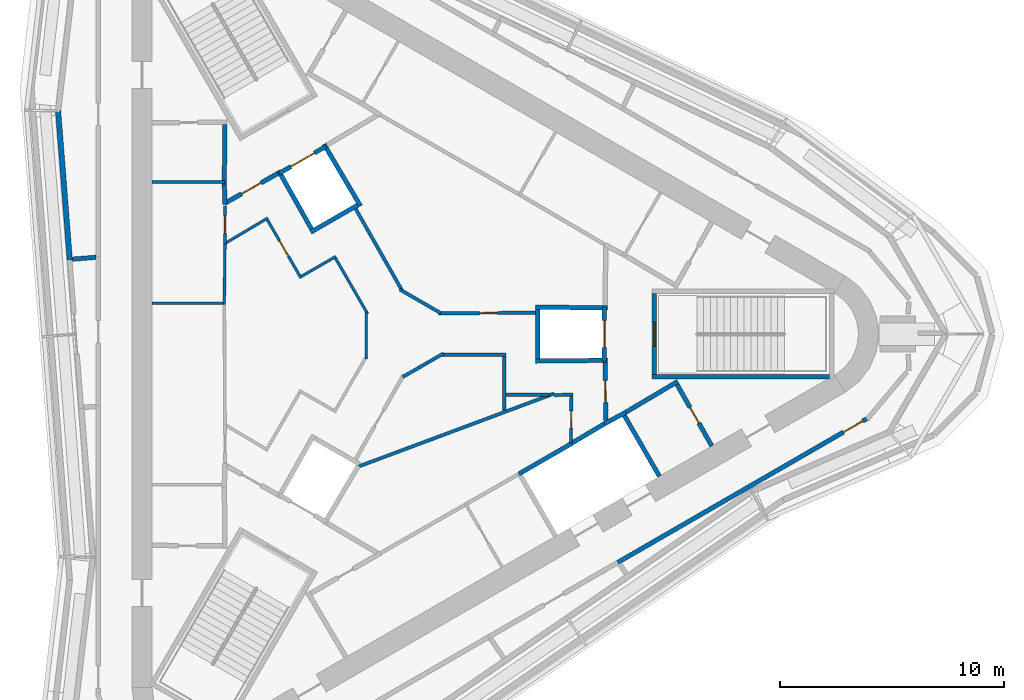
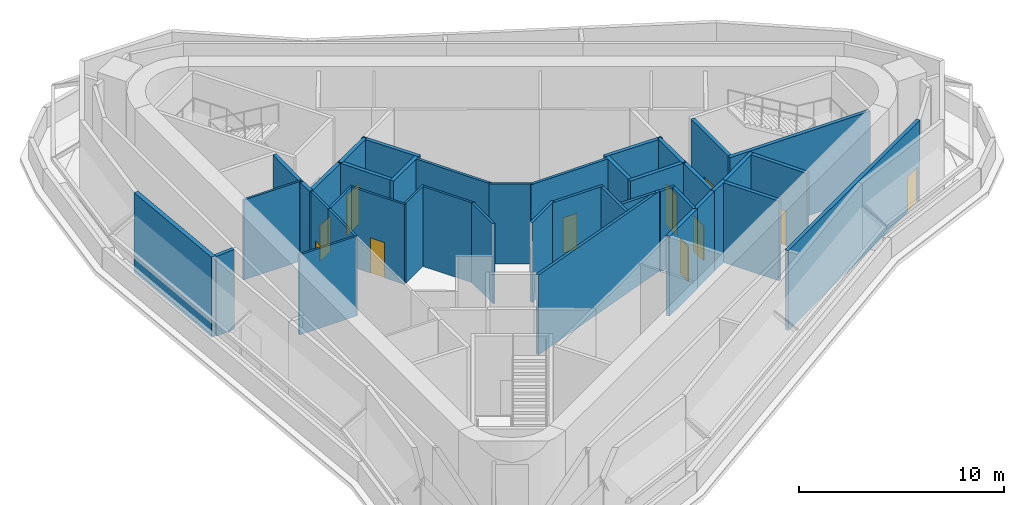
# One storey, part 4 of 7: 42 walls, 11 doors, 11 openings.
"""IFC4 building model written with IfcOpenShell, lengths in metres."""

import ifcopenshell
import ifcopenshell.guid

model = None  # the IFC model being written
_history = None  # IfcOwnerHistory: only IFC2X3 demands one
_inside = {}  # id of a spatial element -> (the spatial element, [elements in it])
_under = {}  # id of a project, library or spatial element -> (it, [spatial elements below it])
_declared = {}  # id of a project -> (the project, [libraries it declares])
_typed = {}  # id of a type object -> (the type object, [elements of that type])
_made_of = {}  # id of a material, layer set ... -> (it, [elements and type objects made of it])


def new_model(schema):
    """Start an empty IFC model of exactly this schema.

    Asked for "IFC4X3", IfcOpenShell would pick the latest addendum, in which some entities
    have other attributes; the version numbers below select the first issue.
    IFC2X3 requires an IfcOwnerHistory on every rooted entity: one is made here for all.
    """
    global model, _history
    if schema == "IFC4X3":
        model = ifcopenshell.file(schema_version=(4, 3, 0, 0))
    else:
        model = ifcopenshell.file(schema=schema)
    _inside.clear()
    _under.clear()
    _declared.clear()
    _typed.clear()
    _made_of.clear()
    _history = None
    if model.schema == "IFC2X3":
        org = make("IfcOrganization", Name="unknown")
        user = make(
            "IfcPersonAndOrganization",
            ThePerson=make("IfcPerson", FamilyName="unknown"),
            TheOrganization=org,
        )
        app = make(
            "IfcApplication",
            ApplicationDeveloper=org,
            Version="unknown",
            ApplicationFullName="unknown",
            ApplicationIdentifier="unknown",
        )
        _history = make(
            "IfcOwnerHistory",
            OwningUser=user,
            OwningApplication=app,
            ChangeAction="ADDED",
            CreationDate=0,
        )
    return model


def make(cls, **values):
    """One entity of the class cls with the attributes given. An attribute that is None is left unset."""
    return model.create_entity(
        cls, **{name: value for name, value in values.items() if value is not None}
    )


def rooted(cls, **values):
    """An entity with a GlobalId (a new one), such as an element, a storey or a relation."""
    return make(cls, GlobalId=ifcopenshell.guid.new(), OwnerHistory=_history, **values)


def si_unit(unit_type, name, prefix=None):
    """IfcSIUnit, for example si_unit("LENGTHUNIT", "METRE", prefix="MILLI")."""
    return make("IfcSIUnit", UnitType=unit_type, Prefix=prefix, Name=name)


def assignment(units):
    """IfcUnitAssignment: the units of a project."""
    return None if units is None else make("IfcUnitAssignment", Units=units)


def point(xyz):
    """IfcCartesianPoint."""
    return None if xyz is None else make("IfcCartesianPoint", Coordinates=xyz)


def direction(xyz):
    """IfcDirection."""
    return None if xyz is None else make("IfcDirection", DirectionRatios=xyz)


def frame(location, z_axis=None, x_axis=None):
    """IfcAxis2Placement3D, a coordinate frame: its origin and axes. An axis left out is left unset."""
    return make(
        "IfcAxis2Placement3D",
        Location=point(location),
        Axis=direction(z_axis),
        RefDirection=direction(x_axis),
    )


def frame_2d(location, x_axis=None):
    """IfcAxis2Placement2D, a coordinate frame in the plane: its origin and x axis."""
    return make(
        "IfcAxis2Placement2D", Location=point(location), RefDirection=direction(x_axis)
    )


def origin():
    """The frame at (0, 0, 0) with its axes left unset."""
    return frame((0.0, 0.0, 0.0))


def place(relative_to, where):
    """IfcLocalPlacement: puts the frame where relative to a parent placement (None: the world)."""
    return make(
        "IfcLocalPlacement", PlacementRelTo=relative_to, RelativePlacement=where
    )


def context(
    kind, dimensions, precision=None, world=None, true_north=None, identifier=None
):
    """IfcGeometricRepresentationContext, for example the 3D "Model" context."""
    return make(
        "IfcGeometricRepresentationContext",
        ContextIdentifier=identifier,
        ContextType=kind,
        CoordinateSpaceDimension=dimensions,
        Precision=precision,
        WorldCoordinateSystem=world,
        TrueNorth=true_north,
    )


def subcontext(parent, identifier, kind, view, scale=None):
    """IfcGeometricRepresentationSubContext, for example "Body" below "Model"."""
    return make(
        "IfcGeometricRepresentationSubContext",
        ContextIdentifier=identifier,
        ContextType=kind,
        ParentContext=parent,
        TargetScale=scale,
        TargetView=view,
    )


def project(units=None, contexts=None):
    """IfcProject with its units and contexts."""
    return rooted(
        "IfcProject",
        Name="project",
        RepresentationContexts=contexts,
        UnitsInContext=assignment(units),
    )


def spatial(cls, under=None, at=None, **own):
    """A site, building, storey or space (cls), placed at a placement, below another one or the project."""
    s = rooted(cls, ObjectPlacement=at, **own)
    if under is not None:
        _under.setdefault(under.id(), (under, []))[1].append(s)
    return s


def profile(cls, at=None, kind="AREA", **sizes):
    """A parametric profile (cls). Its sizes go by their IFC names, for example OverallWidth=200.0."""
    return make(cls, ProfileType=kind, Position=at, **sizes)


def rectangle(**sizes):
    """IfcRectangleProfileDef."""
    return profile("IfcRectangleProfileDef", **sizes)


def extrude(swept, where, along, depth):
    """IfcExtrudedAreaSolid: the profile swept, set in the frame where, extruded along a direction by depth."""
    return make(
        "IfcExtrudedAreaSolid",
        SweptArea=swept,
        Position=where,
        ExtrudedDirection=direction(along),
        Depth=depth,
    )


def shape(context_of_items, identifier, shape_type, items):
    """IfcShapeRepresentation: the items that make up one representation, for example the "Body"."""
    return make(
        "IfcShapeRepresentation",
        ContextOfItems=context_of_items,
        RepresentationIdentifier=identifier,
        RepresentationType=shape_type,
        Items=items,
    )


def material(Name=None, Category=None):
    """IfcMaterial."""
    return make("IfcMaterial", Name=Name, Category=Category)


def layer(
    of_material, thickness, ventilated=None, Name=None, Category=None, Priority=None
):
    """IfcMaterialLayer: one layer of a wall or slab, of a material (None: an air gap)."""
    return make(
        "IfcMaterialLayer",
        Material=of_material,
        LayerThickness=thickness,
        IsVentilated=ventilated,
        Name=Name,
        Category=Category,
        Priority=Priority,
    )


def layer_set(layers, Name=None):
    """IfcMaterialLayerSet."""
    return make("IfcMaterialLayerSet", MaterialLayers=layers, LayerSetName=Name)


def made_of(thing, what):
    """Note that an element or type object is made of a material, layer set ...; save() writes the relation."""
    if what is not None:
        _made_of.setdefault(what.id(), (what, []))[1].append(thing)
    return thing


def type_object(cls, material=None, **own):
    """A type object (cls), such as IfcWallType, which elements share."""
    return made_of(rooted(cls, **own), material)


def element(
    cls,
    number,
    at=None,
    inside=None,
    cuts=None,
    type_object=None,
    material=None,
    context=None,
    identifier="Body",
    shape_type=None,
    held_by="IfcProductDefinitionShape",
    body=None,
    shapes=None,
    **own,
):
    """One element of the class cls, such as IfcWall. Its Tag is "e" and its number.

    at: its placement. inside: the storey or other place that contains it. cuts: it is an
    opening in that element (IfcRelVoidsElement). A single representation is given by context,
    identifier, shape_type and body (its items); several are given by shapes. held_by: the class
    of the entity that holds the representations. save() writes the other relations.
    """
    e = rooted(cls, Tag="e%d" % number, ObjectPlacement=at, **own)
    if body is not None:
        shapes = [shape(context, identifier, shape_type, body)]
    if shapes is not None:
        e.Representation = make(held_by, Representations=shapes)
    if inside is not None:
        _inside.setdefault(inside.id(), (inside, []))[1].append(e)
    if cuts is not None:
        rooted(
            "IfcRelVoidsElement", RelatingBuildingElement=cuts, RelatedOpeningElement=e
        )
    if type_object is not None:
        _typed.setdefault(type_object.id(), (type_object, []))[1].append(e)
    return made_of(e, material)


def fill(opening, filler):
    """IfcRelFillsElement: the door or window that sits in an opening."""
    return rooted(
        "IfcRelFillsElement",
        RelatingOpeningElement=opening,
        RelatedBuildingElement=filler,
    )


def aggregate(whole, parts):
    """IfcRelAggregates: a whole, such as a stair, and the parts it consists of."""
    return rooted("IfcRelAggregates", RelatingObject=whole, RelatedObjects=parts)


def save(model, path):
    """Write the relations noted so far, then the file.

    IfcRelAggregates (storeys below a building ...), IfcRelContainedInSpatialStructure (elements
    in a storey), IfcRelDefinesByType, IfcRelAssociatesMaterial and IfcRelDeclares: one each for
    every whole, place, type object, material and project.
    """
    for whole, parts in _under.values():
        aggregate(whole, parts)
    for where, things in _inside.values():
        rooted(
            "IfcRelContainedInSpatialStructure",
            RelatedElements=things,
            RelatingStructure=where,
        )
    for kind, things in _typed.values():
        rooted("IfcRelDefinesByType", RelatedObjects=things, RelatingType=kind)
    for what, things in _made_of.values():
        rooted("IfcRelAssociatesMaterial", RelatedObjects=things, RelatingMaterial=what)
    for by, libraries in _declared.values():
        rooted("IfcRelDeclares", RelatingContext=by, RelatedDefinitions=libraries)
    model.write(path)


model = new_model("IFC4")

# Units and contexts
model_context = context("Model", 3, precision=1e-05, world=origin(), true_north=direction((0.0, 1.0)))
body_context = subcontext(model_context, "Body", "Model", "MODEL_VIEW")
ifc_project = project(units=[si_unit("LENGTHUNIT", "METRE"), si_unit("AREAUNIT", "SQUARE_METRE"), si_unit("VOLUMEUNIT", "CUBIC_METRE"), si_unit("PLANEANGLEUNIT", "RADIAN"), si_unit("MASSUNIT", "GRAM", prefix="KILO")], contexts=[model_context])

# Site, building, storey
site_placement = place(None, origin())
site = spatial("IfcSite", under=ifc_project, at=site_placement, CompositionType="ELEMENT")
building_placement = place(site_placement, origin())
building = spatial("IfcBuilding", under=site, at=building_placement, Name="Tanit Gate Tower", CompositionType="ELEMENT")
storey_placement = place(building_placement, frame((0.0, 0.0, 425.300048828125)))
storey = spatial("IfcBuildingStorey", under=building, at=storey_placement, Name="L96", CompositionType="ELEMENT", Elevation=425.300048828125)

# Walls
ifc_material_1 = material(Name="Concrete C30/37 with bronze anodised aluminium cladding", Category="concrete")
ifc_layer_1 = layer(ifc_material_1, 0.239990234375)
ifc_layer_set_1 = layer_set([ifc_layer_1], Name="Facade wall bronze clad 240")
wall_type_1 = type_object("IfcWallType", Name="Facade wall bronze clad 240", PredefinedType="SOLIDWALL", material=ifc_layer_set_1)
wall_1_placement = place(storey_placement, frame((-15.390380859375, 9.950439453125, 0.0), z_axis=(0.0, 0.0, 1.0), x_axis=(0.07783308516, -0.996966404075, 0.0)))
element("IfcWall", 1, at=wall_1_placement, inside=storey, type_object=wall_type_1, Name="Bronze-clad facade wall L96 W2a", PredefinedType="SOLIDWALL", context=body_context, shape_type="SweptSolid", body=[
    extrude(rectangle(XDim=6.668701171875, YDim=0.239990234375, at=frame_2d((3.33447265625, 0.0))), origin(), (0.0, 0.0, 1.0), 4.75),
])
ifc_material_2 = material(Name="Fire-rated gypsum board partition")
ifc_layer_2 = layer(ifc_material_2, 0.199951171875)
ifc_layer_set_2 = layer_set([ifc_layer_2], Name="INT-WALL-COMPARTMENT")
wall_type_2 = type_object("IfcWallType", Name="INT-WALL-COMPARTMENT", PredefinedType="PARTITIONING", material=ifc_layer_set_2)
wall_2_placement = place(storey_placement, frame((-7.981201171875, 6.64990234375, 0.0), z_axis=(0.0, 0.0, 1.0), x_axis=(0.011120469654, 0.999938165666, 0.0)))
element("IfcWall", 2, at=wall_2_placement, inside=storey, type_object=wall_type_2, Name="Wall Compartment W035", PredefinedType="PARTITIONING", context=body_context, shape_type="SweptSolid", body=[
    extrude(rectangle(XDim=2.700439453125, YDim=0.199951171875, at=frame_2d((1.35009765625, 0.0))), origin(), (0.0, 0.0, 1.0), 4.75),
])
wall_3_placement = place(storey_placement, frame((-7.949951171875, 5.7724609375, 0.0), z_axis=(0.0, 0.0, 1.0), x_axis=(-0.030861509705, 0.999523670164, 0.0)))
element("IfcWall", 3, at=wall_3_placement, inside=storey, type_object=wall_type_2, Name="Wall Compartment W037", PredefinedType="PARTITIONING", context=body_context, shape_type="SweptSolid", body=[
    extrude(rectangle(XDim=0.878173828125, YDim=0.199951171875, at=frame_2d((0.43896484375, 0.0))), origin(), (0.0, 0.0, 1.0), 4.75),
])
wall_4_placement = place(storey_placement, frame((12.244873046875, -2.10888671875, 0.0), z_axis=(0.0, 0.0, 1.0), x_axis=(-0.860414880418, -0.509594185166, 0.0)))
element("IfcWall", 4, at=wall_4_placement, inside=storey, type_object=wall_type_2, Name="Wall Compartment W062", PredefinedType="PARTITIONING", context=body_context, shape_type="SweptSolid", body=[
    extrude(rectangle(XDim=2.7001953125, YDim=0.199951171875, at=frame_2d((1.35009765625, 0.0))), origin(), (0.0, 0.0, 1.0), 4.75),
])

# Wall, opening, door
wall_5_placement = place(storey_placement, frame((13.758056640625, -4.989501953125, 0.0), z_axis=(0.0, 0.0, 1.0), x_axis=(-0.491993409184, 0.87059892334, 0.0)))
wall_5 = element("IfcWall", 5, at=wall_5_placement, inside=storey, type_object=wall_type_2, Name="Wall Compartment W063", PredefinedType="PARTITIONING", context=body_context, shape_type="SweptSolid", body=[
    extrude(rectangle(XDim=3.150146484375, YDim=0.199951171875, at=frame_2d((1.5751953125, 0.0))), origin(), (0.0, 0.0, 1.0), 4.75),
])
opening_1_placement = place(wall_5_placement, frame((1.175048828125, 0.0, 0.0)))
opening_1 = element("IfcOpeningElement", 6, at=opening_1_placement, cuts=wall_5, Name="Opening R08-96-23", PredefinedType="OPENING", context=body_context, shape_type="SweptSolid", body=[
    extrude(rectangle(XDim=0.800048828125, YDim=2.10009765625, at=frame_2d((0.39990234375, 1.050048828125))), frame((0.0, 0.10986328125, 0.0), z_axis=(0.0, -1.0, 0.0), x_axis=(1.0, 0.0, 0.0)), (0.0, 0.0, 1.0), 0.219970703125),
])
ifc_material_3 = material(Name="Timber door leaf", Category="wood")
door_type_1 = type_object("IfcDoorType", Name="INT-DOOR-RISER-800", OperationType="NOTDEFINED", PredefinedType="USERDEFINED", material=ifc_material_3)
door_1_placement = place(opening_1_placement, origin())
door_1 = element("IfcDoor", 7, at=door_1_placement, inside=storey, type_object=door_type_1, Name="Door R08-96-23", ObjectType="FIRE DOOR", OperationType="SINGLE_SWING_RIGHT", OverallHeight=2.10009765625, OverallWidth=0.800048828125, PredefinedType="USERDEFINED", context=body_context, shape_type="SweptSolid", body=[
    extrude(rectangle(XDim=0.800048828125, YDim=2.10009765625, at=frame_2d((0.39990234375, 1.050048828125))), frame((0.0, 0.02490234375, 0.0), z_axis=(0.0, -1.0, 0.0), x_axis=(1.0, 0.0, 0.0)), (0.0, 0.0, 1.0), 0.050048828125),
])
fill(opening_1, door_1)

wall_6_placement = place(storey_placement, frame((9.02880859375, -3.850830078125, 0.0), z_axis=(0.0, 0.0, 1.0), x_axis=(-0.010783593937, 0.99994185536, 0.0)))
wall_6 = element("IfcWall", 8, at=wall_6_placement, inside=storey, type_object=wall_type_2, Name="Wall Compartment W065", PredefinedType="PARTITIONING", context=body_context, shape_type="SweptSolid", body=[
    extrude(rectangle(XDim=2.5810546875, YDim=0.199951171875, at=frame_2d((1.29052734375, 0.0))), origin(), (0.0, 0.0, 1.0), 4.75),
])
opening_2_placement = place(wall_6_placement, frame((0.79052734375, 0.0, 0.0)))
opening_2 = element("IfcOpeningElement", 9, at=opening_2_placement, cuts=wall_6, Name="Opening F10-96-02", PredefinedType="OPENING", context=body_context, shape_type="SweptSolid", body=[
    extrude(rectangle(XDim=1.0, YDim=2.10009765625, at=frame_2d((0.5, 1.050048828125))), frame((0.0, 0.10986328125, 0.0), z_axis=(0.0, -1.0, 0.0), x_axis=(1.0, 0.0, 0.0)), (0.0, 0.0, 1.0), 0.219970703125),
])
ifc_material_4 = material(Name="Fire-rated steel door leaf", Category="steel")
door_type_2 = type_object("IfcDoorType", Name="INT-DOOR-FIRE-1000", OperationType="NOTDEFINED", PredefinedType="USERDEFINED", material=ifc_material_4)
door_2_placement = place(opening_2_placement, origin())
door_2 = element("IfcDoor", 10, at=door_2_placement, inside=storey, type_object=door_type_2, Name="Door F10-96-02", ObjectType="FIRE DOOR", OperationType="SINGLE_SWING_RIGHT", OverallHeight=2.10009765625, OverallWidth=1.0, PredefinedType="USERDEFINED", context=body_context, shape_type="SweptSolid", body=[
    extrude(rectangle(XDim=1.0, YDim=2.10009765625, at=frame_2d((0.5, 1.050048828125))), frame((0.0, 0.02490234375, 0.0), z_axis=(0.0, -1.0, 0.0), x_axis=(1.0, 0.0, 0.0)), (0.0, 0.0, 1.0), 0.050048828125),
])
fill(opening_2, door_2)

wall_7_placement = place(storey_placement, frame((-5.600341796875, 7.16015625, 0.0), z_axis=(0.0, 0.0, 1.0), x_axis=(-0.871337173459, -0.490684756385, 0.0)))
wall_7 = element("IfcWall", 11, at=wall_7_placement, inside=storey, type_object=wall_type_2, Name="Wall Compartment W067", PredefinedType="PARTITIONING", context=body_context, shape_type="SweptSolid", body=[
    extrude(rectangle(XDim=2.709228515625, YDim=0.199951171875, at=frame_2d((1.3544921875, 0.0))), origin(), (0.0, 0.0, 1.0), 4.75),
])
opening_3_placement = place(wall_7_placement, frame((0.848388671875, 0.0, 0.0)))
opening_3 = element("IfcOpeningElement", 12, at=opening_3_placement, cuts=wall_7, Name="Opening F10-96-05", PredefinedType="OPENING", context=body_context, shape_type="SweptSolid", body=[
    extrude(rectangle(XDim=1.0, YDim=2.10009765625, at=frame_2d((0.5, 1.050048828125))), frame((0.0, 0.10986328125, 0.0), z_axis=(0.0, -1.0, 0.0), x_axis=(1.0, 0.0, 0.0)), (0.0, 0.0, 1.0), 0.219970703125),
])
door_3_placement = place(opening_3_placement, origin())
door_3 = element("IfcDoor", 13, at=door_3_placement, inside=storey, type_object=door_type_2, Name="Door F10-96-05", ObjectType="FIRE DOOR", OperationType="SINGLE_SWING_RIGHT", OverallHeight=2.10009765625, OverallWidth=1.0, PredefinedType="USERDEFINED", context=body_context, shape_type="SweptSolid", body=[
    extrude(rectangle(XDim=1.0, YDim=2.10009765625, at=frame_2d((0.5, 1.050048828125))), frame((0.0, 0.02490234375, 0.0), z_axis=(0.0, -1.0, 0.0), x_axis=(1.0, 0.0, 0.0)), (0.0, 0.0, 1.0), 0.050048828125),
])
fill(opening_3, door_3)

# Wall
wall_8_placement = place(storey_placement, frame((-14.7490234375, 3.341552734375, 0.0), z_axis=(0.0, 0.0, 1.0), x_axis=(0.996974795891, 0.077725519345, 0.0)))
element("IfcWall", 14, at=wall_8_placement, inside=storey, type_object=wall_type_2, Name="Wall Compartment W098", PredefinedType="PARTITIONING", context=body_context, shape_type="SweptSolid", body=[
    extrude(rectangle(XDim=1.05224609375, YDim=0.199951171875, at=frame_2d((0.526123046875, 0.0))), origin(), (0.0, 0.0, 1.0), 4.75),
])

# Wall, opening, door
wall_9_placement = place(storey_placement, frame((9.56591796875, -10.18115234375, 0.0), z_axis=(0.0, 0.0, 1.0), x_axis=(0.866019300368, 0.500010571279, 0.0)))
wall_9 = element("IfcWall", 15, at=wall_9_placement, inside=storey, type_object=wall_type_2, Name="Wall Compartment W118", PredefinedType="PARTITIONING", context=body_context, shape_type="SweptSolid", body=[
    extrude(rectangle(XDim=12.811767578125, YDim=0.199951171875, at=frame_2d((6.40576171875, 0.0))), origin(), (0.0, 0.0, 1.0), 4.75),
])
opening_4_placement = place(wall_9_placement, frame((11.61181640625, 0.0, 0.0)))
opening_4 = element("IfcOpeningElement", 16, at=opening_4_placement, cuts=wall_9, Name="Opening F10-96-32", PredefinedType="OPENING", context=body_context, shape_type="SweptSolid", body=[
    extrude(rectangle(XDim=1.0, YDim=2.10009765625, at=frame_2d((0.5, 1.050048828125))), frame((0.0, 0.10986328125, 0.0), z_axis=(0.0, -1.0, 0.0), x_axis=(1.0, 0.0, 0.0)), (0.0, 0.0, 1.0), 0.219970703125),
])
door_4_placement = place(opening_4_placement, origin())
door_4 = element("IfcDoor", 17, at=door_4_placement, inside=storey, type_object=door_type_2, Name="Door F10-96-32", ObjectType="FIRE DOOR", OperationType="SINGLE_SWING_RIGHT", OverallHeight=2.10009765625, OverallWidth=1.0, PredefinedType="USERDEFINED", context=body_context, shape_type="SweptSolid", body=[
    extrude(rectangle(XDim=1.0, YDim=2.10009765625, at=frame_2d((0.5, 1.050048828125))), frame((0.0, 0.02490234375, 0.0), z_axis=(0.0, -1.0, 0.0), x_axis=(1.0, 0.0, 0.0)), (0.0, 0.0, 1.0), 0.050048828125),
])
fill(opening_4, door_4)

# Walls
ifc_material_5 = material(Name="Gypsum board partition")
ifc_layer_3 = layer(ifc_material_5, 0.1201171875)
ifc_layer_set_3 = layer_set([ifc_layer_3], Name="INT-WALL-PARTITION")
wall_type_3 = type_object("IfcWallType", Name="INT-WALL-PARTITION", PredefinedType="PARTITIONING", material=ifc_layer_set_3)
for number, where, z_axis, x_axis, name in (
    (18, (-7.949951171875, 6.780029296875, 0.0), (0.0, 0.0, 1.0), (-1.0, 0.0, 0.0), "Wall Partition W033"),
    (19, (-7.949951171875, 1.3798828125, 0.0), (0.0, 0.0, 1.0), (-1.0, 0.0, 0.0), "Wall Partition W036"),
):
    element("IfcWall", number, at=place(storey_placement, frame(where, z_axis=z_axis, x_axis=x_axis)), inside=storey, type_object=wall_type_3, Name=name, PredefinedType="PARTITIONING", context=body_context, shape_type="SweptSolid", body=[
        extrude(rectangle(XDim=3.25, YDim=0.1201171875, at=frame_2d((1.625, 0.0))), origin(), (0.0, 0.0, 1.0), 4.75),
    ])
wall_10_placement = place(storey_placement, frame((-7.950927734375, 4.020263671875, 0.0), z_axis=(0.0, 0.0, 1.0), x_axis=(-0.010879853406, -0.999940812643, 0.0)))
element("IfcWall", 20, at=wall_10_placement, inside=storey, type_object=wall_type_3, Name="Wall Partition W038", PredefinedType="PARTITIONING", context=body_context, shape_type="SweptSolid", body=[
    extrude(rectangle(XDim=2.67041015625, YDim=0.1201171875, at=frame_2d((1.335205078125, 0.0))), origin(), (0.0, 0.0, 1.0), 4.75),
])

# Wall, opening, door
wall_11_placement = place(storey_placement, frame((-7.949951171875, 4.020263671875, 0.0), z_axis=(0.0, 0.0, 1.0), x_axis=(0.0, 1.0, 0.0)))
wall_11 = element("IfcWall", 21, at=wall_11_placement, inside=storey, type_object=wall_type_3, Name="Wall Partition W039", PredefinedType="PARTITIONING", context=body_context, shape_type="SweptSolid", body=[
    extrude(rectangle(XDim=1.701904296875, YDim=0.1201171875, at=frame_2d((0.85107421875, 0.0))), origin(), (0.0, 0.0, 1.0), 4.75),
])
opening_5_placement = place(wall_11_placement, frame((0.461181640625, 0.0, 0.0)))
opening_5 = element("IfcOpeningElement", 22, at=opening_5_placement, cuts=wall_11, Name="Opening R08-96-15", PredefinedType="OPENING", context=body_context, shape_type="SweptSolid", body=[
    extrude(rectangle(XDim=0.800048828125, YDim=2.10009765625, at=frame_2d((0.39990234375, 1.050048828125))), frame((0.0, 0.070068359375, 0.0), z_axis=(0.0, -1.0, 0.0), x_axis=(1.0, 0.0, 0.0)), (0.0, 0.0, 1.0), 0.14013671875),
])
door_5_placement = place(opening_5_placement, origin())
door_5 = element("IfcDoor", 23, at=door_5_placement, inside=storey, type_object=door_type_1, Name="Door R08-96-15", ObjectType="FIRE DOOR", OperationType="SINGLE_SWING_RIGHT", OverallHeight=2.10009765625, OverallWidth=0.800048828125, PredefinedType="USERDEFINED", context=body_context, shape_type="SweptSolid", body=[
    extrude(rectangle(XDim=0.800048828125, YDim=2.10009765625, at=frame_2d((0.39990234375, 1.050048828125))), frame((0.0, 0.02490234375, 0.0), z_axis=(0.0, -1.0, 0.0), x_axis=(1.0, 0.0, 0.0)), (0.0, 0.0, 1.0), 0.050048828125),
])
fill(opening_5, door_5)

# Wall
wall_12_placement = place(storey_placement, frame((-6.03662109375, 5.17578125, 0.0), z_axis=(0.0, 0.0, 1.0), x_axis=(-0.860081621619, -0.510156450663, 0.0)))
element("IfcWall", 24, at=wall_12_placement, inside=storey, type_object=wall_type_3, Name="Wall Partition W081", PredefinedType="PARTITIONING", context=body_context, shape_type="SweptSolid", body=[
    extrude(rectangle(XDim=2.154541015625, YDim=0.1201171875, at=frame_2d((1.0771484375, 0.0))), origin(), (0.0, 0.0, 1.0), 4.75),
])

# Wall, opening, door
wall_13_placement = place(storey_placement, frame((-4.558349609375, 2.4951171875, 0.0), z_axis=(0.0, 0.0, 1.0), x_axis=(-0.499990139034, 0.866031096941, 0.0)))
wall_13 = element("IfcWall", 25, at=wall_13_placement, inside=storey, type_object=wall_type_3, Name="Wall Partition W082", PredefinedType="PARTITIONING", context=body_context, shape_type="SweptSolid", body=[
    extrude(rectangle(XDim=3.0, YDim=0.1201171875, at=frame_2d((1.5, 0.0))), origin(), (0.0, 0.0, 1.0), 4.75),
])
opening_6_placement = place(wall_13_placement, frame((1.1298828125, 0.0, 0.0)))
opening_6 = element("IfcOpeningElement", 26, at=opening_6_placement, cuts=wall_13, Name="Opening R08-96-13", PredefinedType="OPENING", context=body_context, shape_type="SweptSolid", body=[
    extrude(rectangle(XDim=0.800048828125, YDim=2.10009765625, at=frame_2d((0.39990234375, 1.050048828125))), frame((0.0, 0.070068359375, 0.0), z_axis=(0.0, -1.0, 0.0), x_axis=(1.0, 0.0, 0.0)), (0.0, 0.0, 1.0), 0.14013671875),
])
door_6_placement = place(opening_6_placement, origin())
door_6 = element("IfcDoor", 27, at=door_6_placement, inside=storey, type_object=door_type_1, Name="Door R08-96-13", ObjectType="FIRE DOOR", OperationType="SINGLE_SWING_LEFT", OverallHeight=2.10009765625, OverallWidth=0.800048828125, PredefinedType="USERDEFINED", context=body_context, shape_type="SweptSolid", body=[
    extrude(rectangle(XDim=0.800048828125, YDim=2.10009765625, at=frame_2d((0.39990234375, 1.050048828125))), frame((0.0, 0.02490234375, 0.0), z_axis=(0.0, -1.0, 0.0), x_axis=(1.0, 0.0, 0.0)), (0.0, 0.0, 1.0), 0.050048828125),
])
fill(opening_6, door_6)

# Walls
wall_14_placement = place(storey_placement, frame((-2.9990234375, 3.464599609375, 0.0), z_axis=(0.0, 0.0, 1.0), x_axis=(-0.866059624469, -0.499940723351, 0.0)))
element("IfcWall", 28, at=wall_14_placement, inside=storey, type_object=wall_type_3, Name="Wall Partition W083", PredefinedType="PARTITIONING", context=body_context, shape_type="SweptSolid", body=[
    extrude(rectangle(XDim=1.775146484375, YDim=0.1201171875, at=frame_2d((0.8876953125, 0.0))), origin(), (0.0, 0.0, 1.0), 4.75),
])
wall_15_placement = place(storey_placement, frame((-1.593505859375, 0.909912109375, 0.0), z_axis=(0.0, 0.0, 1.0), x_axis=(-0.49997412077, 0.866040344649, 0.0)))
element("IfcWall", 29, at=wall_15_placement, inside=storey, type_object=wall_type_3, Name="Wall Partition W084", PredefinedType="PARTITIONING", context=body_context, shape_type="SweptSolid", body=[
    extrude(rectangle(XDim=2.855224609375, YDim=0.1201171875, at=frame_2d((1.427734375, 0.0))), origin(), (0.0, 0.0, 1.0), 4.75),
])
wall_16_placement = place(storey_placement, frame((-1.6455078125, -1.10400390625, 0.0), z_axis=(0.0, 0.0, 1.0), x_axis=(0.0, 1.0, 0.0)))
element("IfcWall", 30, at=wall_16_placement, inside=storey, type_object=wall_type_3, Name="Wall Partition W085", PredefinedType="PARTITIONING", context=body_context, shape_type="SweptSolid", body=[
    extrude(rectangle(XDim=2.08544921875, YDim=0.1201171875, at=frame_2d((1.042724609375, 0.0))), origin(), (0.0, 0.0, 1.0), 4.75),
])

# Wall, opening, door
ifc_material_6 = material(Name="Fire-rated gypsum board partition")
ifc_layer_4 = layer(ifc_material_6, 0.14990234375)
ifc_layer_set_4 = layer_set([ifc_layer_4], Name="INT-WALL-RISER")
wall_type_4 = type_object("IfcWallType", Name="INT-WALL-RISER", PredefinedType="PLUMBINGWALL", material=ifc_layer_set_4)
wall_17_placement = place(storey_placement, frame((1.560791015625, 0.924072265625, 0.0), z_axis=(0.0, 0.0, 1.0), x_axis=(0.999976441218, 0.006864183077, 0.0)))
wall_17 = element("IfcWall", 31, at=wall_17_placement, inside=storey, type_object=wall_type_4, Name="Wall Riser W070", PredefinedType="PLUMBINGWALL", context=body_context, shape_type="SweptSolid", body=[
    extrude(rectangle(XDim=4.339111328125, YDim=0.14990234375, at=frame_2d((2.16943359375, 0.0))), origin(), (0.0, 0.0, 1.0), 4.75),
])
opening_7_placement = place(wall_17_placement, frame((1.83349609375, 0.0, 0.0)))
opening_7 = element("IfcOpeningElement", 32, at=opening_7_placement, cuts=wall_17, Name="Opening R08-96-10", PredefinedType="OPENING", context=body_context, shape_type="SweptSolid", body=[
    extrude(rectangle(XDim=0.800048828125, YDim=2.10009765625, at=frame_2d((0.39990234375, 1.050048828125))), frame((0.0, 0.0849609375, 0.0), z_axis=(0.0, -1.0, 0.0), x_axis=(1.0, 0.0, 0.0)), (0.0, 0.0, 1.0), 0.169921875),
])
door_7_placement = place(opening_7_placement, origin())
door_7 = element("IfcDoor", 33, at=door_7_placement, inside=storey, type_object=door_type_1, Name="Door R08-96-10", ObjectType="FIRE DOOR", OperationType="SINGLE_SWING_LEFT", OverallHeight=2.10009765625, OverallWidth=0.800048828125, PredefinedType="USERDEFINED", context=body_context, shape_type="SweptSolid", body=[
    extrude(rectangle(XDim=0.800048828125, YDim=2.10009765625, at=frame_2d((0.39990234375, 1.050048828125))), frame((0.0, 0.02490234375, 0.0), z_axis=(0.0, -1.0, 0.0), x_axis=(1.0, 0.0, 0.0)), (0.0, 0.0, 1.0), 0.050048828125),
])
fill(opening_7, door_7)

# Walls
wall_18_placement = place(storey_placement, frame((-0.154052734375, 1.989013671875, 0.0), z_axis=(0.0, 0.0, 1.0), x_axis=(0.865992365033, -0.50005722043, 0.0)))
element("IfcWall", 34, at=wall_18_placement, inside=storey, type_object=wall_type_4, Name="Wall Riser W071", PredefinedType="PLUMBINGWALL", context=body_context, shape_type="SweptSolid", body=[
    extrude(rectangle(XDim=2.104248046875, YDim=0.14990234375, at=frame_2d((1.05224609375, 0.0))), origin(), (0.0, 0.0, 1.0), 4.75),
])
wall_19_placement = place(storey_placement, frame((-2.1240234375, 5.58642578125, 0.0), z_axis=(0.0, 0.0, 1.0), x_axis=(0.494084527552, -0.869413871314, 0.0)))
element("IfcWall", 35, at=wall_19_placement, inside=storey, type_object=wall_type_4, Name="Wall Riser W072", PredefinedType="PLUMBINGWALL", context=body_context, shape_type="SweptSolid", body=[
    extrude(rectangle(XDim=4.187744140625, YDim=0.14990234375, at=frame_2d((2.09375, 0.0))), origin(), (0.0, 0.0, 1.0), 4.75),
])
wall_20_placement = place(storey_placement, frame((6.729248046875, -2.650390625, 0.0), z_axis=(0.0, 0.0, 1.0), x_axis=(-0.936914282609, -0.349559189613, 0.0)))
element("IfcWall", 36, at=wall_20_placement, inside=storey, type_object=wall_type_4, Name="Wall Riser W073", PredefinedType="PLUMBINGWALL", context=body_context, shape_type="SweptSolid", body=[
    extrude(rectangle(XDim=9.29052734375, YDim=0.14990234375, at=frame_2d((4.645263671875, 0.0))), origin(), (0.0, 0.0, 1.0), 4.75),
])
wall_21_placement = place(storey_placement, frame((1.80126953125, -0.860107421875, 0.0), z_axis=(0.0, 0.0, 1.0), x_axis=(-0.866073643108, -0.499916437731, 0.0)))
element("IfcWall", 37, at=wall_21_placement, inside=storey, type_object=wall_type_4, Name="Wall Riser W075", PredefinedType="PLUMBINGWALL", context=body_context, shape_type="SweptSolid", body=[
    extrude(rectangle(XDim=2.106201171875, YDim=0.14990234375, at=frame_2d((1.05322265625, 0.0))), origin(), (0.0, 0.0, 1.0), 4.75),
])
wall_22_placement = place(storey_placement, frame((4.574951171875, -0.925048828125, 0.0), z_axis=(0.0, 0.0, 1.0), x_axis=(-1.0, 0.0, 0.0)))
element("IfcWall", 38, at=wall_22_placement, inside=storey, type_object=wall_type_4, Name="Wall Riser W076", PredefinedType="PLUMBINGWALL", context=body_context, shape_type="SweptSolid", body=[
    extrude(rectangle(XDim=2.863037109375, YDim=0.14990234375, at=frame_2d((1.431640625, 0.0))), origin(), (0.0, 0.0, 1.0), 4.75),
])
wall_23_placement = place(storey_placement, frame((4.5, -3.402099609375, 0.0), z_axis=(0.0, 0.0, 1.0), x_axis=(0.0, 1.0, 0.0)))
element("IfcWall", 39, at=wall_23_placement, inside=storey, type_object=wall_type_4, Name="Wall Riser W077", PredefinedType="PLUMBINGWALL", context=body_context, shape_type="SweptSolid", body=[
    extrude(rectangle(XDim=2.402099609375, YDim=0.14990234375, at=frame_2d((1.201171875, 0.0))), origin(), (0.0, 0.0, 1.0), 4.75),
])
wall_24_placement = place(storey_placement, frame((6.521240234375, -2.699951171875, 0.0), z_axis=(0.0, 0.0, 1.0), x_axis=(-1.0, 0.0, 0.0)))
element("IfcWall", 40, at=wall_24_placement, inside=storey, type_object=wall_type_4, Name="Wall Riser W078", PredefinedType="PLUMBINGWALL", context=body_context, shape_type="SweptSolid", body=[
    extrude(rectangle(XDim=1.9462890625, YDim=0.14990234375, at=frame_2d((0.97314453125, 0.0))), origin(), (0.0, 0.0, 1.0), 4.75),
])
wall_25_placement = place(storey_placement, frame((7.574951171875, -2.69775390625, 0.0), z_axis=(0.0, 0.0, 1.0), x_axis=(-0.999547263436, -0.0300876745, 0.0)))
element("IfcWall", 41, at=wall_25_placement, inside=storey, type_object=wall_type_4, Name="Wall Riser W079", PredefinedType="PLUMBINGWALL", context=body_context, shape_type="SweptSolid", body=[
    extrude(rectangle(XDim=0.843994140625, YDim=0.14990234375, at=frame_2d((0.421875, 0.0))), origin(), (0.0, 0.0, 1.0), 4.75),
])

# Wall, opening, door
wall_26_placement = place(storey_placement, frame((7.474609375, -4.864501953125, 0.0), z_axis=(0.0, 0.0, 1.0), x_axis=(0.011682810534, 0.99993175364, 0.0)))
wall_26 = element("IfcWall", 42, at=wall_26_placement, inside=storey, type_object=wall_type_4, Name="Wall Riser W080", PredefinedType="PLUMBINGWALL", context=body_context, shape_type="SweptSolid", body=[
    extrude(rectangle(XDim=2.08984375, YDim=0.14990234375, at=frame_2d((1.044921875, 0.0))), origin(), (0.0, 0.0, 1.0), 4.75),
])
opening_8_placement = place(wall_26_placement, frame((0.644775390625, 0.0, 0.0)))
opening_8 = element("IfcOpeningElement", 43, at=opening_8_placement, cuts=wall_26, Name="Opening R08-96-12", PredefinedType="OPENING", context=body_context, shape_type="SweptSolid", body=[
    extrude(rectangle(XDim=0.800048828125, YDim=2.10009765625, at=frame_2d((0.39990234375, 1.050048828125))), frame((0.0, 0.0849609375, 0.0), z_axis=(0.0, -1.0, 0.0), x_axis=(1.0, 0.0, 0.0)), (0.0, 0.0, 1.0), 0.169921875),
])
door_8_placement = place(opening_8_placement, origin())
door_8 = element("IfcDoor", 44, at=door_8_placement, inside=storey, type_object=door_type_1, Name="Door R08-96-12", ObjectType="FIRE DOOR", OperationType="SINGLE_SWING_RIGHT", OverallHeight=2.10009765625, OverallWidth=0.800048828125, PredefinedType="USERDEFINED", context=body_context, shape_type="SweptSolid", body=[
    extrude(rectangle(XDim=0.800048828125, YDim=2.10009765625, at=frame_2d((0.39990234375, 1.050048828125))), frame((0.0, 0.02490234375, 0.0), z_axis=(0.0, -1.0, 0.0), x_axis=(1.0, 0.0, 0.0)), (0.0, 0.0, 1.0), 0.050048828125),
])
fill(opening_8, door_8)

# Walls
ifc_material_7 = material(Name="Gypsum shaft wall system")
ifc_layer_5 = layer(ifc_material_7, 0.199951171875)
ifc_layer_set_5 = layer_set([ifc_layer_5], Name="INT-WALL-SHAFT")
wall_type_5 = type_object("IfcWallType", Name="INT-WALL-SHAFT", PredefinedType="PLUMBINGWALL", material=ifc_layer_set_5)
wall_27_placement = place(storey_placement, frame((5.1591796875, -6.23583984375, 0.0), z_axis=(0.0, 0.0, 1.0), x_axis=(0.866036505625, 0.499980770555, 0.0)))
element("IfcWall", 45, at=wall_27_placement, inside=storey, type_object=wall_type_5, Name="Wall Shaft W002", PredefinedType="PLUMBINGWALL", context=body_context, shape_type="SweptSolid", body=[
    extrude(rectangle(XDim=2.69970703125, YDim=0.199951171875, at=frame_2d((1.349853515625, 0.0))), origin(), (0.0, 0.0, 1.0), 4.75),
])
wall_28_placement = place(storey_placement, frame((9.794677734375, -3.52490234375, 0.0), z_axis=(0.0, 0.0, 1.0), x_axis=(0.499984717929, -0.866034226713, 0.0)))
element("IfcWall", 46, at=wall_28_placement, inside=storey, type_object=wall_type_5, Name="Wall Shaft W003", PredefinedType="PLUMBINGWALL", context=body_context, shape_type="SweptSolid", body=[
    extrude(rectangle(XDim=3.25, YDim=0.199951171875, at=frame_2d((1.625, 0.0))), origin(), (0.0, 0.0, 1.0), 4.75),
])
wall_29_placement = place(storey_placement, frame((8.97412109375, -3.998779296875, 0.0), z_axis=(0.0, 0.0, 1.0), x_axis=(0.880907015104, 0.473289373154, 0.0)))
element("IfcWall", 47, at=wall_29_placement, inside=storey, type_object=wall_type_5, Name="Wall Shaft W004", PredefinedType="PLUMBINGWALL", context=body_context, shape_type="SweptSolid", body=[
    extrude(rectangle(XDim=1.078125, YDim=0.199951171875, at=frame_2d((0.5390625, 0.0))), origin(), (0.0, 0.0, 1.0), 4.75),
])
wall_30_placement = place(storey_placement, frame((7.4931640625, -4.87841796875, 0.0), z_axis=(0.0, 0.0, 1.0), x_axis=(0.859981807212, 0.510324691999, 0.0)))
element("IfcWall", 48, at=wall_30_placement, inside=storey, type_object=wall_type_5, Name="Wall Shaft W005", PredefinedType="PLUMBINGWALL", context=body_context, shape_type="SweptSolid", body=[
    extrude(rectangle(XDim=1.8447265625, YDim=0.199951171875, at=frame_2d((0.92236328125, 0.0))), origin(), (0.0, 0.0, 1.0), 4.75),
])

# Wall, opening, door
wall_31_placement = place(storey_placement, frame((8.969970703125, 1.199951171875, 0.0), z_axis=(0.0, 0.0, 1.0), x_axis=(0.0, -1.0, 0.0)))
wall_31 = element("IfcWall", 49, at=wall_31_placement, inside=storey, type_object=wall_type_5, Name="Wall Shaft W010", PredefinedType="PLUMBINGWALL", context=body_context, shape_type="SweptSolid", body=[
    extrude(rectangle(XDim=2.39990234375, YDim=0.199951171875, at=frame_2d((1.199951171875, 0.0))), origin(), (0.0, 0.0, 1.0), 4.75),
])
opening_9_placement = place(wall_31_placement, frame((0.60009765625, 0.0, 0.0)))
opening_9 = element("IfcOpeningElement", 50, at=opening_9_placement, cuts=wall_31, Name="Opening LDFL1-L96", PredefinedType="OPENING", context=body_context, shape_type="SweptSolid", body=[
    extrude(rectangle(XDim=1.199951171875, YDim=2.39990234375, at=frame_2d((0.60009765625, 1.199951171875))), frame((0.0, 0.10986328125, 0.0), z_axis=(0.0, -1.0, 0.0), x_axis=(1.0, 0.0, 0.0)), (0.0, 0.0, 1.0), 0.219970703125),
])
ifc_material_8 = material(Name="Stainless steel sliding door leaf", Category="steel")
door_type_3 = type_object("IfcDoorType", Name="INT-DOOR-LANDING-1200", OperationType="NOTDEFINED", PredefinedType="USERDEFINED", material=ifc_material_8)
door_9_placement = place(opening_9_placement, origin())
door_9 = element("IfcDoor", 51, at=door_9_placement, inside=storey, type_object=door_type_3, Name="Door LDFL1-L96", ObjectType="LANDING DOOR", OperationType="SLIDING_TO_LEFT", OverallHeight=2.39990234375, OverallWidth=1.199951171875, PredefinedType="USERDEFINED", context=body_context, shape_type="SweptSolid", body=[
    extrude(rectangle(XDim=1.199951171875, YDim=2.39990234375, at=frame_2d((0.60009765625, 1.199951171875))), frame((0.0, 0.02490234375, 0.0), z_axis=(0.0, -1.0, 0.0), x_axis=(1.0, 0.0, 0.0)), (0.0, 0.0, 1.0), 0.050048828125),
])
fill(opening_9, door_9)

# Walls
wall_32_placement = place(storey_placement, frame((6.0, -1.10009765625, 0.0), z_axis=(0.0, 0.0, 1.0), x_axis=(0.0, 1.0, 0.0)))
element("IfcWall", 52, at=wall_32_placement, inside=storey, type_object=wall_type_5, Name="Wall Shaft W014", PredefinedType="PLUMBINGWALL", context=body_context, shape_type="SweptSolid", body=[
    extrude(rectangle(XDim=2.2001953125, YDim=0.199951171875, at=frame_2d((1.10009765625, 0.0))), origin(), (0.0, 0.0, 1.0), 4.75),
])
for number, where, z_axis, x_axis, name in (
    (53, (5.89990234375, 1.200927734375, 0.0), (0.0, 0.0, 1.0), (0.999950064753, -0.009993397809, 0.0), "Wall Shaft W012"),
    (54, (5.89990234375, -1.200927734375, 0.0), (0.0, 0.0, 1.0), (0.999950064753, 0.009993397809, 0.0), "Wall Shaft W013"),
):
    element("IfcWall", number, at=place(storey_placement, frame(where, z_axis=z_axis, x_axis=x_axis)), inside=storey, type_object=wall_type_5, Name=name, PredefinedType="PLUMBINGWALL", context=body_context, shape_type="SweptSolid", body=[
        extrude(rectangle(XDim=3.200439453125, YDim=0.199951171875, at=frame_2d((1.60009765625, 0.0))), origin(), (0.0, 0.0, 1.0), 4.75),
    ])

# Wall, opening, door
wall_33_placement = place(storey_placement, frame((-5.524169921875, 7.168212890625, 0.0), z_axis=(0.0, 0.0, 1.0), x_axis=(0.866024647952, 0.500001309137, 0.0)))
wall_33 = element("IfcWall", 55, at=wall_33_placement, inside=storey, type_object=wall_type_5, Name="Wall Shaft W019", PredefinedType="PLUMBINGWALL", context=body_context, shape_type="SweptSolid", body=[
    extrude(rectangle(XDim=2.39990234375, YDim=0.199951171875, at=frame_2d((1.199951171875, 0.0))), origin(), (0.0, 0.0, 1.0), 4.75),
])
opening_10_placement = place(wall_33_placement, frame((0.60009765625, 0.0, 0.0)))
opening_10 = element("IfcOpeningElement", 56, at=opening_10_placement, cuts=wall_33, Name="Opening LDFL2-L96", PredefinedType="OPENING", context=body_context, shape_type="SweptSolid", body=[
    extrude(rectangle(XDim=1.199951171875, YDim=2.39990234375, at=frame_2d((0.60009765625, 1.199951171875))), frame((0.0, 0.10986328125, 0.0), z_axis=(0.0, -1.0, 0.0), x_axis=(1.0, 0.0, 0.0)), (0.0, 0.0, 1.0), 0.219970703125),
])
door_10_placement = place(opening_10_placement, origin())
door_10 = element("IfcDoor", 57, at=door_10_placement, inside=storey, type_object=door_type_3, Name="Door LDFL2-L96", ObjectType="LANDING DOOR", OperationType="SLIDING_TO_LEFT", OverallHeight=2.39990234375, OverallWidth=1.199951171875, PredefinedType="USERDEFINED", context=body_context, shape_type="SweptSolid", body=[
    extrude(rectangle(XDim=1.199951171875, YDim=2.39990234375, at=frame_2d((0.60009765625, 1.199951171875))), frame((0.0, 0.02490234375, 0.0), z_axis=(0.0, -1.0, 0.0), x_axis=(1.0, 0.0, 0.0)), (0.0, 0.0, 1.0), 0.050048828125),
])
fill(opening_10, door_10)

# Walls
wall_34_placement = place(storey_placement, frame((-3.53759765625, 8.46533203125, 0.0), z_axis=(0.0, 0.0, 1.0), x_axis=(0.508616218331, -0.860993346345, 0.0)))
element("IfcWall", 58, at=wall_34_placement, inside=storey, type_object=wall_type_5, Name="Wall Shaft W020", PredefinedType="PLUMBINGWALL", context=body_context, shape_type="SweptSolid", body=[
    extrude(rectangle(XDim=3.2001953125, YDim=0.199951171875, at=frame_2d((1.60009765625, 0.0))), origin(), (0.0, 0.0, 1.0), 4.75),
])
wall_35_placement = place(storey_placement, frame((-2.04736328125, 5.74609375, 0.0), z_axis=(0.0, 0.0, 1.0), x_axis=(-0.866024647952, -0.500001309137, 0.0)))
element("IfcWall", 59, at=wall_35_placement, inside=storey, type_object=wall_type_5, Name="Wall Shaft W021", PredefinedType="PLUMBINGWALL", context=body_context, shape_type="SweptSolid", body=[
    extrude(rectangle(XDim=2.39990234375, YDim=0.199951171875, at=frame_2d((1.199951171875, 0.0))), origin(), (0.0, 0.0, 1.0), 4.75),
])
wall_36_placement = place(storey_placement, frame((-5.5625, 7.29638671875, 0.0), z_axis=(0.0, 0.0, 1.0), x_axis=(0.49134651263, -0.870964180966, 0.0)))
element("IfcWall", 60, at=wall_36_placement, inside=storey, type_object=wall_type_5, Name="Wall Shaft W023", PredefinedType="PLUMBINGWALL", context=body_context, shape_type="SweptSolid", body=[
    extrude(rectangle(XDim=3.000244140625, YDim=0.199951171875, at=frame_2d((1.5, 0.0))), origin(), (0.0, 0.0, 1.0), 4.75),
])
ifc_material_9 = material(Name="Concrete C40/50", Category="concrete")
ifc_layer_6 = layer(ifc_material_9, 0.199951171875)
ifc_layer_set_6 = layer_set([ifc_layer_6], Name="INT-WALL-STAIR")
wall_type_6 = type_object("IfcWallType", Name="INT-WALL-STAIR", PredefinedType="SHEAR", material=ifc_layer_set_6)
wall_37_placement = place(storey_placement, frame((11.10009765625, -1.89990234375, -0.25), z_axis=(0.0, 0.0, 1.0), x_axis=(1.0, 0.0, 0.0)))
element("IfcWall", 61, at=wall_37_placement, inside=storey, type_object=wall_type_6, Name="Wall Stair W008", PredefinedType="SHEAR", context=body_context, shape_type="SweptSolid", body=[
    extrude(rectangle(XDim=7.89990234375, YDim=0.199951171875, at=frame_2d((3.949951171875, 0.0))), origin(), (0.0, 0.0, 1.0), 5.0),
])

# Wall, opening, door
wall_38_placement = place(storey_placement, frame((11.199951171875, -1.800048828125, -0.25), z_axis=(0.0, 0.0, 1.0), x_axis=(0.0, 1.0, 0.0)))
wall_38 = element("IfcWall", 62, at=wall_38_placement, inside=storey, type_object=wall_type_6, Name="Wall Stair W009", PredefinedType="SHEAR", context=body_context, shape_type="SweptSolid", body=[
    extrude(rectangle(XDim=3.60009765625, YDim=0.199951171875, at=frame_2d((1.800048828125, 0.0))), origin(), (0.0, 0.0, 1.0), 5.0),
])
opening_11_placement = place(wall_38_placement, frame((1.25, 0.0, 0.25)))
opening_11 = element("IfcOpeningElement", 63, at=opening_11_placement, cuts=wall_38, Name="Opening S11-96-01", PredefinedType="OPENING", context=body_context, shape_type="SweptSolid", body=[
    extrude(rectangle(XDim=1.10009765625, YDim=2.10009765625, at=frame_2d((0.550048828125, 1.050048828125))), frame((0.0, 0.10986328125, 0.0), z_axis=(0.0, -1.0, 0.0), x_axis=(1.0, 0.0, 0.0)), (0.0, 0.0, 1.0), 0.219970703125),
])
ifc_material_10 = material(Name="Timber door leaf", Category="wood")
door_type_4 = type_object("IfcDoorType", Name="INT-DOOR-STAIR-1100", OperationType="NOTDEFINED", PredefinedType="USERDEFINED", material=ifc_material_10)
door_11_placement = place(opening_11_placement, origin())
door_11 = element("IfcDoor", 64, at=door_11_placement, inside=storey, type_object=door_type_4, Name="Door S11-96-01", ObjectType="FIRE DOOR", OperationType="SINGLE_SWING_LEFT", OverallHeight=2.10009765625, OverallWidth=1.10009765625, PredefinedType="USERDEFINED", context=body_context, shape_type="SweptSolid", body=[
    extrude(rectangle(XDim=1.10009765625, YDim=2.10009765625, at=frame_2d((0.550048828125, 1.050048828125))), frame((0.0, 0.02490234375, 0.0), z_axis=(0.0, -1.0, 0.0), x_axis=(1.0, 0.0, 0.0)), (0.0, 0.0, 1.0), 0.050048828125),
])
fill(opening_11, door_11)

save(model, "model.ifc")
